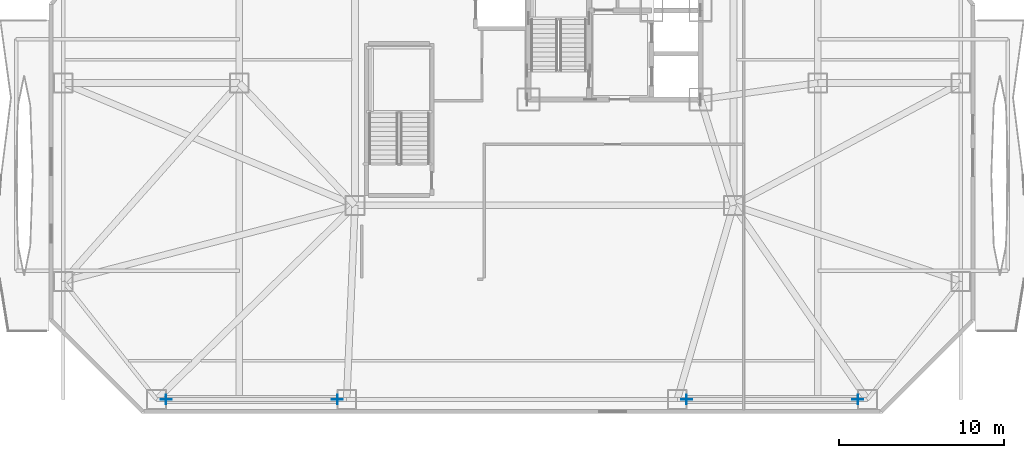
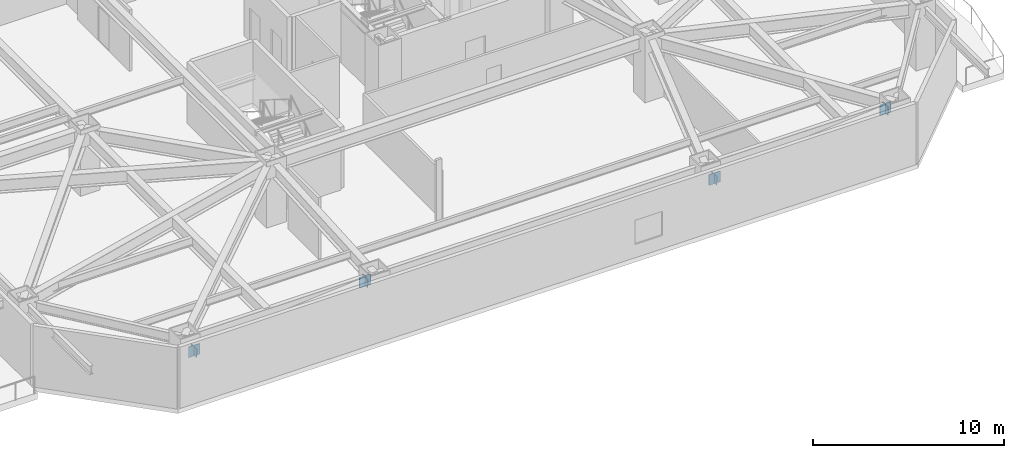
# One storey, part 14 of 24: 8 plates.
"""IFC4 building model written with IfcOpenShell, lengths in metres."""

from ifc_helpers import new_model, si_unit, direction, frame, origin, origin_2d, place, context, subcontext, project, spatial, rectangle, extrude, material, layer, layer_set, type_object, element, save


model = new_model("IFC4")

# Units and contexts
model_context = context("Model", 3, precision=1e-05, world=origin(), true_north=direction((0.0, 1.0)))
body_context = subcontext(model_context, "Body", "Model", "MODEL_VIEW")
ifc_project = project(units=[si_unit("LENGTHUNIT", "METRE"), si_unit("AREAUNIT", "SQUARE_METRE"), si_unit("VOLUMEUNIT", "CUBIC_METRE"), si_unit("PLANEANGLEUNIT", "RADIAN"), si_unit("MASSUNIT", "GRAM", prefix="KILO")], contexts=[model_context])

# Site, building, storey
site_placement = place(None, origin())
site = spatial("IfcSite", under=ifc_project, at=site_placement, CompositionType="ELEMENT")
building_placement = place(site_placement, origin())
building = spatial("IfcBuilding", under=site, at=building_placement, Name="Khamvora Tower", CompositionType="ELEMENT")
storey_placement = place(building_placement, frame((0.0, 0.0, 20.39990234375)))
storey = spatial("IfcBuildingStorey", under=building, at=storey_placement, Name="L04", CompositionType="ELEMENT", Elevation=20.39990234375)

# Plates
ifc_material_1 = material(Name="Steel S355", Category="steel")
ifc_layer_1 = layer(ifc_material_1, 0.02490234375)
ifc_layer_set_1 = layer_set([ifc_layer_1], Name="Steel S355")
plate_type_1 = type_object("IfcPlateType", Name="PL-CAP-25", PredefinedType="SHEET", material=ifc_layer_set_1)
for number, where, z_axis, x_axis, name in (
    (1, (7.06591796875, 0.85009765625, 2.44189453125), (0.0, 0.0, 1.0), (1.0, 0.0, 0.0), "L04 hollow section steel end cap plate 0436"),
    (2, (17.43408203125, 0.85009765625, 3.2822265625), (0.0, 0.0, 1.0), (1.0, 0.0, 0.0), "L04 hollow section steel end cap plate 0437"),
    (3, (38.56591796875, 0.85009765625, 2.44189453125), (0.0, 0.0, 1.0), (1.0, 0.0, 0.0), "L04 hollow section steel end cap plate 0438"),
    (4, (48.93408203125, 0.85009765625, 3.2822265625), (0.0, 0.0, 1.0), (1.0, 0.0, 0.0), "L04 hollow section steel end cap plate 0439"),
):
    element("IfcPlate", number, at=place(storey_placement, frame(where, z_axis=z_axis, x_axis=x_axis)), inside=storey, type_object=plate_type_1, Name=name, PredefinedType="SHEET", context=body_context, shape_type="SweptSolid", body=[
        extrude(rectangle(XDim=0.02490234375, YDim=0.568115234375, at=origin_2d()), origin(), (0.0, 0.0, 1.0), 0.568115234375),
    ])
ifc_material_2 = material(Name="Steel S460", Category="steel")
ifc_layer_2 = layer(ifc_material_2, 0.0400390625)
ifc_layer_set_2 = layer_set([ifc_layer_2], Name="Steel S460")
plate_type_2 = type_object("IfcPlateType", Name="PLT-GUS-40", PredefinedType="SHEET", material=ifc_layer_set_2)
for number, where, z_axis, x_axis, name in (
    (5, (7.077880859375, 0.85009765625, 2.38720703125), (0.0, 0.0, 1.0), (1.0, 0.0, 0.0), "L04 brace connection node gusset plate 0049"),
    (6, (17.422119140625, 0.85009765625, 3.22509765625), (0.0, 0.0, 1.0), (1.0, 0.0, 0.0), "L04 brace connection node gusset plate 0050"),
    (7, (38.577880859375, 0.85009765625, 2.38720703125), (0.0, 0.0, 1.0), (1.0, 0.0, 0.0), "L04 brace connection node gusset plate 0051"),
    (8, (48.922119140625, 0.85009765625, 3.22509765625), (0.0, 0.0, 1.0), (1.0, 0.0, 0.0), "L04 brace connection node gusset plate 0052"),
):
    element("IfcPlate", number, at=place(storey_placement, frame(where, z_axis=z_axis, x_axis=x_axis)), inside=storey, type_object=plate_type_2, Name=name, PredefinedType="SHEET", context=body_context, shape_type="SweptSolid", body=[
        extrude(rectangle(XDim=0.679931640625, YDim=0.0400390625, at=origin_2d()), origin(), (0.0, 0.0, 1.0), 0.679931640625),
    ])

save(model, "model.ifc")
